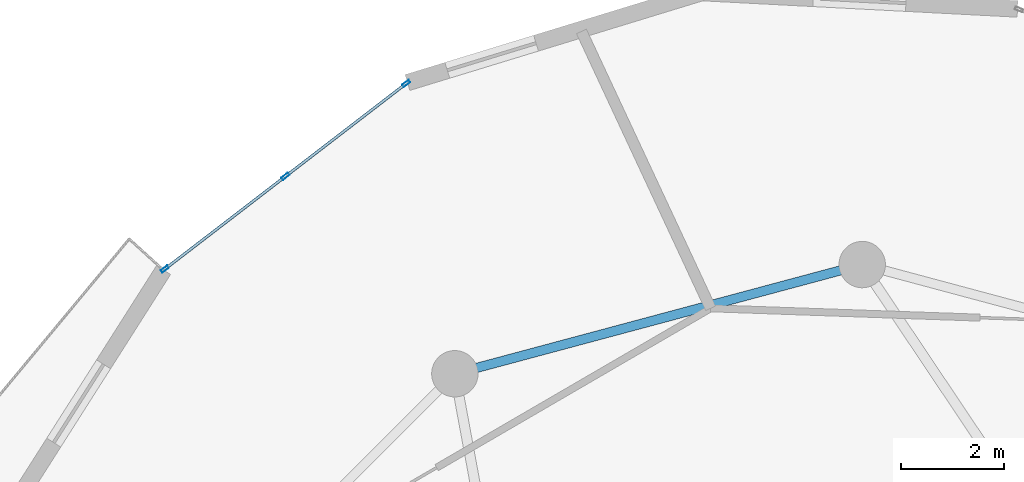
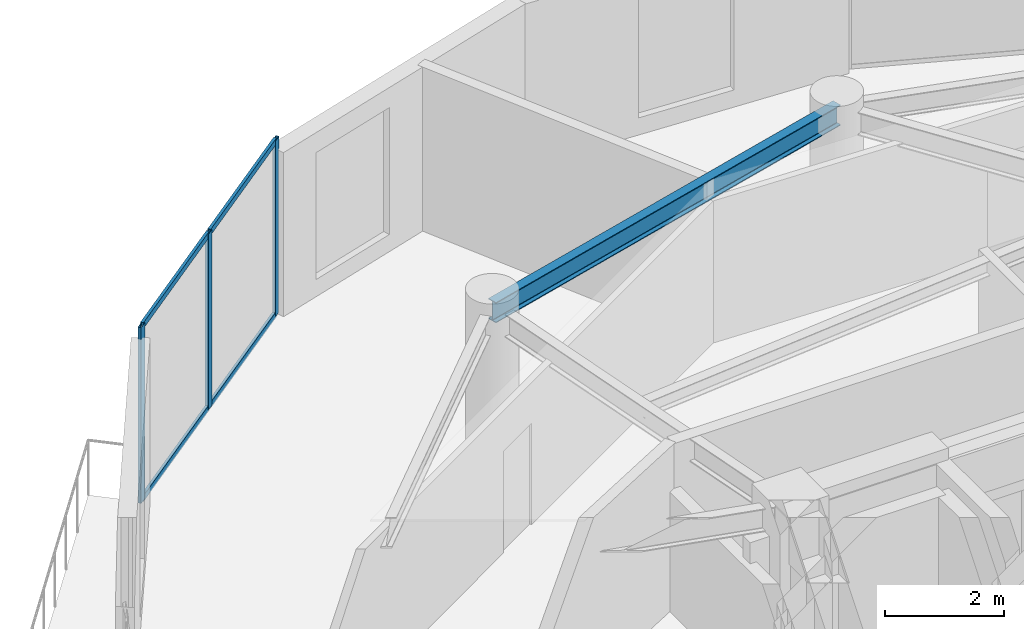
# One storey, part 11 of 18: 7 members, 1 beam, 1 element without a shape of its own.
"""IFC4 building model written with IfcOpenShell, lengths in metres."""

from ifc_helpers import new_model, si_unit, direction, frame, origin, origin_2d, place, context, subcontext, project, spatial, hollow_rectangle, i_section, extrude, source, transform, mapped, material, layer, layer_set, material_profile, profile_set, type_object, element, aggregate, save


model = new_model("IFC4")

# Units and contexts
model_context = context("Model", 3, precision=1e-05, world=origin(), true_north=direction((0.0, 1.0)))
body_context = subcontext(model_context, "Body", "Model", "MODEL_VIEW")
ifc_project = project(units=[si_unit("LENGTHUNIT", "METRE"), si_unit("AREAUNIT", "SQUARE_METRE"), si_unit("VOLUMEUNIT", "CUBIC_METRE"), si_unit("PLANEANGLEUNIT", "RADIAN"), si_unit("MASSUNIT", "GRAM", prefix="KILO")], contexts=[model_context])

# Site, building, storey
site_placement = place(None, origin())
site = spatial("IfcSite", under=ifc_project, at=site_placement, CompositionType="ELEMENT")
building_placement = place(site_placement, origin())
building = spatial("IfcBuilding", under=site, at=building_placement, Name="Solvirekh Grand Hotel", CompositionType="ELEMENT")
storey_placement = place(building_placement, frame((0.0, 0.0, 198.39990234375)))
storey = spatial("IfcBuildingStorey", under=building, at=storey_placement, Name="L51", CompositionType="ELEMENT", Elevation=198.39990234375)

# Beam
ifc_material_1 = material(Name="Steel S355", Category="steel")
ifc_material_profile_1 = material_profile(ifc_material_1, i_section(OverallWidth=0.180908203125, OverallDepth=0.4169921875, WebThickness=0.010009765625, FlangeThickness=0.01611328125, FilletRadius=0.011962890625, at=origin_2d()), Name="W410X85")
ifc_profile_set_1 = profile_set([ifc_material_profile_1], Name="Steel S355")
beam_type = type_object("IfcBeamType", Name="Spandrel_Ring_W410", PredefinedType="SPANDREL", material=ifc_profile_set_1)
beam_placement = place(storey_placement, frame((0.0, 15.800048828125, 3.152099609375), z_axis=(-0.965920601923, -0.258838541915, 0.0), x_axis=(0.258838541915, -0.965920601923, 0.0)))
element("IfcBeam", 1, at=beam_placement, inside=storey, type_object=beam_type, Name="L51 perimeter spandrel beam 4", PredefinedType="SPANDREL", context=body_context, shape_type="SweptSolid", body=[
    extrude(i_section(OverallWidth=0.180908203125, OverallDepth=0.4169921875, WebThickness=0.010009765625, FlangeThickness=0.01611328125, FilletRadius=0.011962890625, at=origin_2d()), origin(), (0.0, 0.0, 1.0), 8.1787109375),
])

# Curtain wall, members
ifc_material_2 = material(Name="Anodized Bronze Aluminium 6063-T6", Category="aluminium")
ifc_layer = layer(ifc_material_2, 0.159912109375)
ifc_layer_set = layer_set([ifc_layer], Name="Anodized Bronze Aluminium 6063-T6")
curtain_wall_type = type_object("IfcCurtainWallType", Name="CW_Sys4_HighZoneFlushBronzeCW", PredefinedType="NOTDEFINED", material=ifc_layer_set)
curtain_wall_placement = place(storey_placement, origin())
curtain_wall = element("IfcCurtainWall", 2, at=curtain_wall_placement, inside=storey, type_object=curtain_wall_type, Name="L51 unitised bronze-glass curtain wall CW-L51-C11", PredefinedType="NOTDEFINED")
ifc_material_profile_2 = material_profile(ifc_material_2, hollow_rectangle(XDim=0.06005859375, YDim=0.159912109375, WallThickness=0.0048828125, at=origin_2d()), Name="ALU RHS 160X60X5")
ifc_profile_set_2 = profile_set([ifc_material_profile_2], Name="Anodized Bronze Aluminium 6063-T6")
member_type_1 = type_object("IfcMemberType", Name="CWMullion_Sys4", PredefinedType="MULLION", material=ifc_profile_set_2)
shared_shape_1 = source(origin(), body_context, "Body", "SweptSolid", [
    extrude(hollow_rectangle(XDim=0.06005859375, YDim=0.159912109375, WallThickness=0.0048828125, at=origin_2d()), origin(), (0.0, 0.0, 1.0), 3.60009765625),
])
member_1_placement = place(storey_placement, frame((-8.8427734375, 19.312744140625, 0.0), z_axis=(0.0, 0.0, 1.0), x_axis=(0.609556857521, -0.792742352501, 0.0)))
member_1 = element("IfcMember", 3, at=member_1_placement, type_object=member_type_1, Name="U04 mullion 1", PredefinedType="MULLION", context=body_context, shape_type="MappedRepresentation", body=[
    mapped(shared_shape_1, transform((0.0, 0.0, 0.0), x_axis=(1.0, 0.0, 0.0), y_axis=(0.0, 1.0, 0.0), z_axis=(0.0, 0.0, 1.0), scale=1.0)),
])
member_2_placement = place(storey_placement, frame((-11.18408203125, 17.512451171875, 0.0), z_axis=(0.0, 0.0, 1.0), x_axis=(0.609556857521, -0.792742352501, 0.0)))
member_2 = element("IfcMember", 4, at=member_2_placement, type_object=member_type_1, Name="U04 mullion 2", PredefinedType="MULLION", context=body_context, shape_type="MappedRepresentation", body=[
    mapped(shared_shape_1, transform((0.0, 0.0, 0.0), x_axis=(1.0, 0.0, 0.0), y_axis=(0.0, 1.0, 0.0), z_axis=(0.0, 0.0, 1.0), scale=1.0)),
])
member_3_placement = place(storey_placement, frame((-13.525146484375, 15.71240234375, 0.0), z_axis=(0.0, 0.0, 1.0), x_axis=(0.609556857521, -0.792742352501, 0.0)))
member_3 = element("IfcMember", 5, at=member_3_placement, type_object=member_type_1, Name="U04 mullion 3", PredefinedType="MULLION", context=body_context, shape_type="MappedRepresentation", body=[
    mapped(shared_shape_1, transform((0.0, 0.0, 0.0), x_axis=(1.0, 0.0, 0.0), y_axis=(0.0, 1.0, 0.0), z_axis=(0.0, 0.0, 1.0), scale=1.0)),
])
ifc_material_profile_3 = material_profile(ifc_material_2, hollow_rectangle(XDim=0.054931640625, YDim=0.1201171875, WallThickness=0.00390625, at=origin_2d()), Name="ALU RHS 120X55X4")
ifc_profile_set_3 = profile_set([ifc_material_profile_3], Name="Anodized Bronze Aluminium 6063-T6")
member_type_2 = type_object("IfcMemberType", Name="CWTransom_Sys4", PredefinedType="USERDEFINED", material=ifc_profile_set_3)
shared_shape_2 = source(origin(), body_context, "Body", "SweptSolid", [
    extrude(hollow_rectangle(XDim=0.054931640625, YDim=0.1201171875, WallThickness=0.00390625, at=origin_2d()), origin(), (0.0, 0.0, 1.0), 2.893310546875),
])
member_4_placement = place(storey_placement, frame((-8.866455078125, 19.29443359375, 0.027587890625), z_axis=(-0.792743171429, -0.609555792486, 0.0), x_axis=(0.609555792486, -0.792743171429, 0.0)))
member_4 = element("IfcMember", 6, at=member_4_placement, type_object=member_type_2, Name="U04 transom 1.1", ObjectType="TRANSOM", PredefinedType="USERDEFINED", context=body_context, shape_type="MappedRepresentation", body=[
    mapped(shared_shape_2, transform((0.0, 0.0, 0.0), x_axis=(1.0, 0.0, 0.0), y_axis=(0.0, 1.0, 0.0), z_axis=(0.0, 0.0, 1.0), scale=1.0)),
])
member_5_placement = place(storey_placement, frame((-8.866455078125, 19.29443359375, 3.572509765625), z_axis=(-0.792743171429, -0.609555792486, 0.0), x_axis=(0.609555792486, -0.792743171429, 0.0)))
member_5 = element("IfcMember", 7, at=member_5_placement, type_object=member_type_2, Name="U04 transom 1.2", ObjectType="TRANSOM", PredefinedType="USERDEFINED", context=body_context, shape_type="MappedRepresentation", body=[
    mapped(shared_shape_2, transform((0.0, 0.0, 0.0), x_axis=(1.0, 0.0, 0.0), y_axis=(0.0, 1.0, 0.0), z_axis=(0.0, 0.0, 1.0), scale=1.0)),
])
member_6_placement = place(storey_placement, frame((-11.207763671875, 17.494140625, 0.027587890625), z_axis=(-0.792743171429, -0.609555792486, 0.0), x_axis=(0.609555792486, -0.792743171429, 0.0)))
member_6 = element("IfcMember", 8, at=member_6_placement, type_object=member_type_2, Name="U04 transom 2.1", ObjectType="TRANSOM", PredefinedType="USERDEFINED", context=body_context, shape_type="MappedRepresentation", body=[
    mapped(shared_shape_2, transform((0.0, 0.0, 0.0), x_axis=(1.0, 0.0, 0.0), y_axis=(0.0, 1.0, 0.0), z_axis=(0.0, 0.0, 1.0), scale=1.0)),
])
member_7_placement = place(storey_placement, frame((-11.207763671875, 17.494140625, 3.572509765625), z_axis=(-0.792743171429, -0.609555792486, 0.0), x_axis=(0.609555792486, -0.792743171429, 0.0)))
member_7 = element("IfcMember", 9, at=member_7_placement, type_object=member_type_2, Name="U04 transom 2.2", ObjectType="TRANSOM", PredefinedType="USERDEFINED", context=body_context, shape_type="MappedRepresentation", body=[
    mapped(shared_shape_2, transform((0.0, 0.0, 0.0), x_axis=(1.0, 0.0, 0.0), y_axis=(0.0, 1.0, 0.0), z_axis=(0.0, 0.0, 1.0), scale=1.0)),
])
aggregate(curtain_wall, [member_1, member_2, member_3, member_4, member_5, member_6, member_7])

save(model, "model.ifc")
